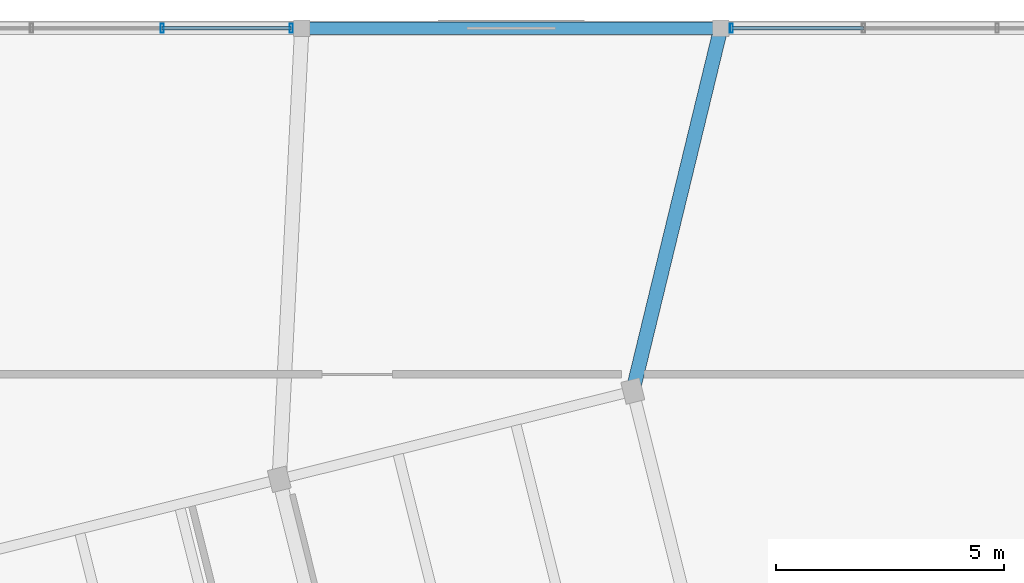
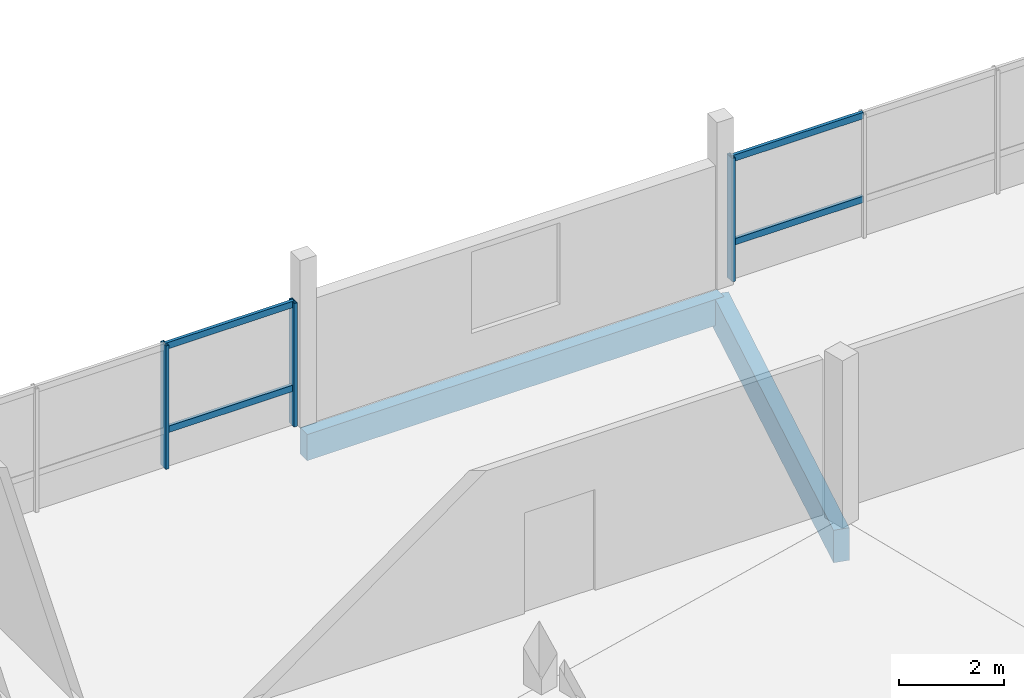
# One storey, part 30 of 39: 7 members, 2 beams, 2 elements without a shape of their own.
"""IFC4 building model written with IfcOpenShell, lengths in metres."""

from ifc_helpers import new_model, si_unit, direction, frame, origin, origin_2d, place, context, subcontext, project, spatial, rectangle, hollow_rectangle, extrude, material, layer, layer_set, material_profile, profile_set, type_object, element, aggregate, save


model = new_model("IFC4")

# Units and contexts
model_context = context("Model", 3, precision=1e-05, world=origin(), true_north=direction((0.0, 1.0)))
body_context = subcontext(model_context, "Body", "Model", "MODEL_VIEW")
ifc_project = project(units=[si_unit("LENGTHUNIT", "METRE"), si_unit("AREAUNIT", "SQUARE_METRE"), si_unit("VOLUMEUNIT", "CUBIC_METRE"), si_unit("PLANEANGLEUNIT", "RADIAN"), si_unit("MASSUNIT", "GRAM", prefix="KILO")], contexts=[model_context])

# Site, building, storey
site_placement = place(None, origin())
site = spatial("IfcSite", under=ifc_project, at=site_placement, CompositionType="ELEMENT")
building_placement = place(site_placement, origin())
building = spatial("IfcBuilding", under=site, at=building_placement, Name="Meriwether Solvik Hall", CompositionType="ELEMENT")
storey_placement = place(building_placement, frame((0.0, 0.0, 22.199951171875)))
storey = spatial("IfcBuildingStorey", under=building, at=storey_placement, Name="L05", CompositionType="ELEMENT", Elevation=22.199951171875)

# Beams
ifc_material_1 = material(Name="Glulam Douglas-Fir 24F-V8 GL28h", Category="wood")
ifc_material_profile_1 = material_profile(ifc_material_1, rectangle(XDim=0.27294921875, YDim=0.610107421875, at=origin_2d()), Name="GLB-273X610")
ifc_profile_set_1 = profile_set([ifc_material_profile_1], Name="Glulam Douglas-Fir 24F-V8 GL28h")
beam_type_1 = type_object("IfcBeamType", Name="BM-GL-273X610", PredefinedType="SPANDREL", material=ifc_profile_set_1)
beam_1_placement = place(storey_placement, frame((95.800048828125, 92.800048828125, -0.550048828125), z_axis=(1.0, 0.0, 0.0), x_axis=(0.0, 1.0, 0.0)))
element("IfcBeam", 1, at=beam_1_placement, inside=storey, type_object=beam_type_1, Name="Podium Girder K:11-12 (L05)", PredefinedType="SPANDREL", context=body_context, shape_type="SweptSolid", body=[
    extrude(rectangle(XDim=0.27294921875, YDim=0.610107421875, at=origin_2d()), origin(), (0.0, 0.0, 1.0), 9.199951171875),
])
ifc_material_2 = material(Name="Glulam Douglas-Fir 24F-V8 GL28h", Category="wood")
ifc_material_profile_2 = material_profile(ifc_material_2, rectangle(XDim=0.31494140625, YDim=0.760009765625, at=origin_2d()), Name="GLB-315X760")
ifc_profile_set_2 = profile_set([ifc_material_profile_2], Name="Glulam Douglas-Fir 24F-V8 GL28h")
beam_type_2 = type_object("IfcBeamType", Name="BM-GL-315X760", PredefinedType="BEAM", material=ifc_profile_set_2)
beam_2_placement = place(storey_placement, frame((103.067626953125, 84.834716796875, -0.625), z_axis=(0.235759443043, 0.971811445197, 0.0), x_axis=(-0.971811445197, 0.235759443043, 0.0)))
element("IfcBeam", 2, at=beam_2_placement, inside=storey, type_object=beam_type_2, Name="Diaphragm Collector Girder T7/TF-12/K (L05)", PredefinedType="BEAM", context=body_context, shape_type="SweptSolid", body=[
    extrude(rectangle(XDim=0.31494140625, YDim=0.760009765625, at=origin_2d()), origin(), (0.0, 0.0, 1.0), 8.1962890625),
])

# Curtain wall, members
ifc_material_3 = material(Name="Thermally Broken Anodised Aluminium 6063-T6 and Low-E Glass", Category="aluminium")
ifc_layer = layer(ifc_material_3, 0.179931640625)
ifc_layer_set = layer_set([ifc_layer], Name="Thermally Broken Anodised Aluminium 6063-T6 and Low-E Glass")
curtain_wall_type = type_object("IfcCurtainWallType", Name="CW-UNIT-E", PredefinedType="USERDEFINED", material=ifc_layer_set)
curtain_wall_1_placement = place(storey_placement, origin())
curtain_wall_1 = element("IfcCurtainWall", 3, at=curtain_wall_1_placement, inside=storey, type_object=curtain_wall_type, Name="Curtain Wall wing_XK_10_9 (L05)", ObjectType="UNITISED CURTAIN WALL", PredefinedType="USERDEFINED")
ifc_material_4 = material(Name="Anodised Aluminium 6063-T6", Category="aluminium")
ifc_material_profile_3 = material_profile(ifc_material_4, hollow_rectangle(XDim=0.070068359375, YDim=0.199951171875, WallThickness=0.0048828125, at=origin_2d()), Name="CWM-70X200")
ifc_profile_set_3 = profile_set([ifc_material_profile_3], Name="Anodised Aluminium 6063-T6")
member_type_1 = type_object("IfcMemberType", Name="CW-MUL-70X200", PredefinedType="MULLION", material=ifc_profile_set_3)
member_1_placement = place(storey_placement, frame((92.735107421875, 92.800048828125, 0.0), z_axis=(0.0, 0.0, 1.0), x_axis=(1.0, 0.0, 0.0)))
member_1 = element("IfcMember", 4, at=member_1_placement, type_object=member_type_1, Name="Curtain Wall Mullion 3", PredefinedType="MULLION", context=body_context, shape_type="SweptSolid", body=[
    extrude(hollow_rectangle(XDim=0.070068359375, YDim=0.199951171875, WallThickness=0.0048828125, at=origin_2d()), origin(), (0.0, 0.0, 1.0), 2.880126953125),
])
member_2_placement = place(storey_placement, frame((95.5673828125, 92.800048828125, 0.0), z_axis=(0.0, 0.0, 1.0), x_axis=(1.0, 0.0, 0.0)))
member_2 = element("IfcMember", 5, at=member_2_placement, type_object=member_type_1, Name="Curtain Wall Mullion 4", PredefinedType="MULLION", context=body_context, shape_type="SweptSolid", body=[
    extrude(hollow_rectangle(XDim=0.070068359375, YDim=0.199951171875, WallThickness=0.0048828125, at=origin_2d()), origin(), (0.0, 0.0, 1.0), 2.880126953125),
])

# Curtain wall, member
curtain_wall_2_placement = place(storey_placement, origin())
curtain_wall_2 = element("IfcCurtainWall", 6, at=curtain_wall_2_placement, inside=storey, type_object=curtain_wall_type, Name="Curtain Wall wing_XK_12_11 (L05)", ObjectType="UNITISED CURTAIN WALL", PredefinedType="USERDEFINED")
member_3_placement = place(storey_placement, frame((105.232421875, 92.800048828125, 0.0), z_axis=(0.0, 0.0, 1.0), x_axis=(1.0, 0.0, 0.0)))
member_3 = element("IfcMember", 7, at=member_3_placement, type_object=member_type_1, Name="Curtain Wall Mullion 1", PredefinedType="MULLION", context=body_context, shape_type="SweptSolid", body=[
    extrude(hollow_rectangle(XDim=0.070068359375, YDim=0.199951171875, WallThickness=0.0048828125, at=origin_2d()), origin(), (0.0, 0.0, 1.0), 2.880126953125),
])

# Member
ifc_material_5 = material(Name="Anodised Aluminium 6063-T6", Category="aluminium")
ifc_material_profile_4 = material_profile(ifc_material_5, hollow_rectangle(XDim=0.070068359375, YDim=0.14990234375, WallThickness=0.0048828125, at=origin_2d()), Name="CWT-70X150")
ifc_profile_set_4 = profile_set([ifc_material_profile_4], Name="Anodised Aluminium 6063-T6")
member_type_2 = type_object("IfcMemberType", Name="CW-TRN-70X150", PredefinedType="USERDEFINED", material=ifc_profile_set_4)
member_4_placement = place(storey_placement, frame((92.735107421875, 92.800048828125, 0.864013671875), z_axis=(1.0, 0.0, 0.0), x_axis=(0.0, 1.0, 0.0)))
member_4 = element("IfcMember", 8, at=member_4_placement, type_object=member_type_2, Name="Curtain Wall Transom 3-sill", ObjectType="TRANSOM", PredefinedType="USERDEFINED", context=body_context, shape_type="SweptSolid", body=[
    extrude(hollow_rectangle(XDim=0.070068359375, YDim=0.14990234375, WallThickness=0.0048828125, at=origin_2d()), origin(), (0.0, 0.0, 1.0), 2.832275390625),
])

member_5_placement = place(storey_placement, frame((92.735107421875, 92.800048828125, 2.820068359375), z_axis=(1.0, 0.0, 0.0), x_axis=(0.0, 1.0, 0.0)))
member_5 = element("IfcMember", 9, at=member_5_placement, type_object=member_type_2, Name="Curtain Wall Transom 3-head", ObjectType="TRANSOM", PredefinedType="USERDEFINED", context=body_context, shape_type="SweptSolid", body=[
    extrude(hollow_rectangle(XDim=0.070068359375, YDim=0.14990234375, WallThickness=0.0048828125, at=origin_2d()), origin(), (0.0, 0.0, 1.0), 2.832275390625),
])

aggregate(curtain_wall_1, [member_1, member_2, member_4, member_5])

member_6_placement = place(storey_placement, frame((105.232421875, 92.800048828125, 0.864013671875), z_axis=(1.0, 0.0, 0.0), x_axis=(0.0, 1.0, 0.0)))
member_6 = element("IfcMember", 10, at=member_6_placement, type_object=member_type_2, Name="Curtain Wall Transom 1-sill", ObjectType="TRANSOM", PredefinedType="USERDEFINED", context=body_context, shape_type="SweptSolid", body=[
    extrude(hollow_rectangle(XDim=0.070068359375, YDim=0.14990234375, WallThickness=0.0048828125, at=origin_2d()), origin(), (0.0, 0.0, 1.0), 2.899169921875),
])

member_7_placement = place(storey_placement, frame((105.232421875, 92.800048828125, 2.820068359375), z_axis=(1.0, 0.0, 0.0), x_axis=(0.0, 1.0, 0.0)))
member_7 = element("IfcMember", 11, at=member_7_placement, type_object=member_type_2, Name="Curtain Wall Transom 1-head", ObjectType="TRANSOM", PredefinedType="USERDEFINED", context=body_context, shape_type="SweptSolid", body=[
    extrude(hollow_rectangle(XDim=0.070068359375, YDim=0.14990234375, WallThickness=0.0048828125, at=origin_2d()), origin(), (0.0, 0.0, 1.0), 2.899169921875),
])

aggregate(curtain_wall_2, [member_3, member_6, member_7])

save(model, "model.ifc")
